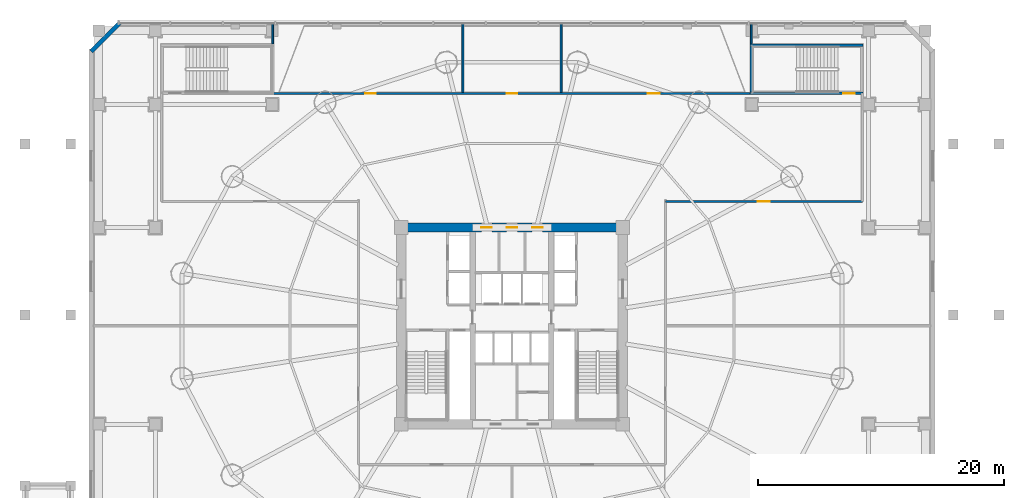
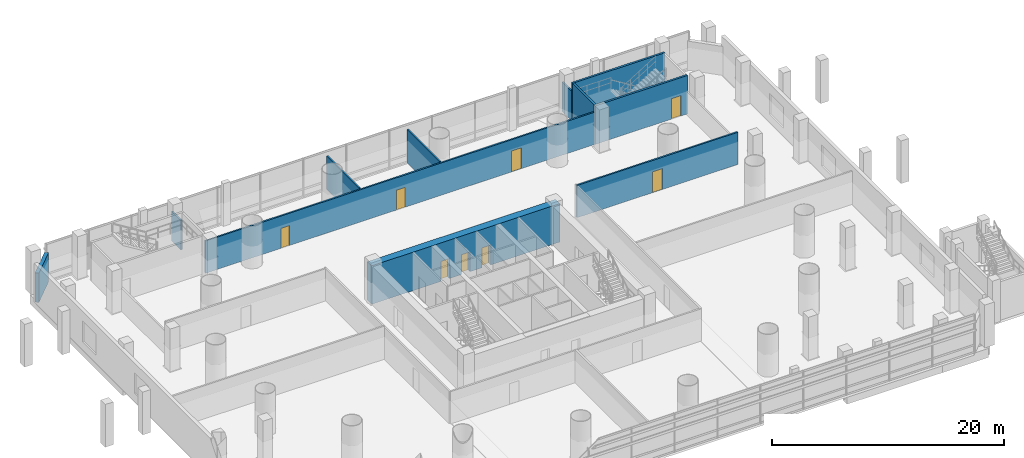
# One storey, part 23 of 36: 11 walls, 8 doors, 8 openings.
"""IFC4 building model written with IfcOpenShell, lengths in metres."""

from ifc_helpers import new_model, si_unit, direction, frame, frame_2d, origin, place, context, subcontext, project, spatial, rectangle, extrude, source, transform, mapped, material, layer, layer_set, type_object, element, fill, save


model = new_model("IFC4")

# Units and contexts
model_context = context("Model", 3, precision=1e-05, world=origin(), true_north=direction((-0.2419218956, 0.970295726276)))
body_context = subcontext(model_context, "Body", "Model", "MODEL_VIEW")
ifc_project = project(units=[si_unit("LENGTHUNIT", "METRE"), si_unit("AREAUNIT", "SQUARE_METRE"), si_unit("VOLUMEUNIT", "CUBIC_METRE"), si_unit("PLANEANGLEUNIT", "RADIAN"), si_unit("MASSUNIT", "GRAM", prefix="KILO")], contexts=[model_context])

# Site, building, storey
site_placement = place(None, origin())
site = spatial("IfcSite", under=ifc_project, at=site_placement, CompositionType="ELEMENT")
building_placement = place(site_placement, origin())
building = spatial("IfcBuilding", under=site, at=building_placement, Name="Cobrevalo Terracotta Tower", CompositionType="ELEMENT")
storey_placement = place(building_placement, frame((0.0, 0.0, 14.39990234375)))
storey = spatial("IfcBuildingStorey", under=building, at=storey_placement, Name="L03", CompositionType="ELEMENT", Elevation=14.39990234375)

# Wall
ifc_material_1 = material(Name="Concrete C45", Category="concrete")
ifc_layer_1 = layer(ifc_material_1, 0.35009765625)
ifc_layer_set_1 = layer_set([ifc_layer_1], Name="Concrete C45")
wall_type_1 = type_object("IfcWallType", Name="Board-marked precast architectural concrete facade wall 350 mm", PredefinedType="SOLIDWALL", material=ifc_layer_set_1)
wall_1_placement = place(storey_placement, frame((6.080078125, 51.39990234375, 0.0), z_axis=(0.0, 0.0, 1.0), x_axis=(-0.707144639935, -0.707068920411, 0.0)))
element("IfcWall", 1, at=wall_1_placement, inside=storey, type_object=wall_type_1, Name="L03 chamfered corner pier NW", PredefinedType="SOLIDWALL", context=body_context, shape_type="SweptSolid", body=[
    extrude(rectangle(XDim=3.224365234375, YDim=0.35009765625, at=frame_2d((1.6123046875, 0.0))), origin(), (0.0, 0.0, 1.0), 3.085205078125),
])

# Wall, openings, doors
ifc_material_2 = material(Name="Concrete C60", Category="concrete")
ifc_layer_2 = layer(ifc_material_2, 0.75)
ifc_layer_set_2 = layer_set([ifc_layer_2], Name="Concrete C60")
wall_type_2 = type_object("IfcWallType", Name="Core shear wall 750 mm Concrete C60", PredefinedType="SHEAR", material=ifc_layer_set_2)
wall_2_placement = place(storey_placement, frame((28.625, 34.800048828125, 0.0), z_axis=(0.0, 0.0, 1.0), x_axis=(1.0, 0.0, 0.0)))
wall_2 = element("IfcWall", 2, at=wall_2_placement, inside=storey, type_object=wall_type_2, Name="L03 north core shear wall", PredefinedType="SHEAR", context=body_context, shape_type="SweptSolid", body=[
    extrude(rectangle(XDim=18.75, YDim=0.75, at=frame_2d((9.375, 0.0))), origin(), (0.0, 0.0, 1.0), 4.050048828125),
])
opening_1_placement = place(wall_2_placement, frame((6.887451171875, 0.0, 0.0)))
opening_1 = element("IfcOpeningElement", 3, at=opening_1_placement, cuts=wall_2, Name="Opening ID-22", PredefinedType="OPENING", context=body_context, shape_type="SweptSolid", body=[
    extrude(rectangle(XDim=0.85009765625, YDim=2.10009765625, at=frame_2d((0.425048828125, 1.050048828125))), frame((0.0, 0.385009765625, 0.0), z_axis=(0.0, -1.0, 0.0), x_axis=(1.0, 0.0, 0.0)), (0.0, 0.0, 1.0), 0.77001953125),
])
opening_2_placement = place(wall_2_placement, frame((8.945068359375, 0.0, 0.0)))
opening_2 = element("IfcOpeningElement", 4, at=opening_2_placement, cuts=wall_2, Name="Opening ID-07", PredefinedType="OPENING", context=body_context, shape_type="SweptSolid", body=[
    extrude(rectangle(XDim=0.860107421875, YDim=2.10009765625, at=frame_2d((0.43017578125, 1.050048828125))), frame((0.0, 0.385009765625, 0.0), z_axis=(0.0, -1.0, 0.0), x_axis=(1.0, 0.0, 0.0)), (0.0, 0.0, 1.0), 0.77001953125),
])
opening_3_placement = place(wall_2_placement, frame((11.012451171875, 0.0, 0.0)))
opening_3 = element("IfcOpeningElement", 5, at=opening_3_placement, cuts=wall_2, Name="Opening ID-22", PredefinedType="OPENING", context=body_context, shape_type="SweptSolid", body=[
    extrude(rectangle(XDim=0.85009765625, YDim=2.10009765625, at=frame_2d((0.425048828125, 1.050048828125))), frame((0.0, 0.385009765625, 0.0), z_axis=(0.0, -1.0, 0.0), x_axis=(1.0, 0.0, 0.0)), (0.0, 0.0, 1.0), 0.77001953125),
])
ifc_material_3 = material(Name="Powder-coated steel", Category="steel")
door_type_1 = type_object("IfcDoorType", Name="Riser shaft & meter closet fire access door 850x2100 EI 60", OperationType="NOTDEFINED", PredefinedType="DOOR", material=ifc_material_3)
shared_shape_1 = source(origin(), body_context, "Body", "SweptSolid", [
    extrude(rectangle(XDim=0.85009765625, YDim=2.10009765625, at=frame_2d((0.425048828125, 1.050048828125))), frame((0.0, 0.02490234375, 0.0), z_axis=(0.0, -1.0, 0.0), x_axis=(1.0, 0.0, 0.0)), (0.0, 0.0, 1.0), 0.050048828125),
])
door_1_placement = place(opening_1_placement, frame((0.85009765625, 0.0, 0.0), z_axis=(0.0, 0.0, 1.0), x_axis=(-1.0, 0.0, 0.0)))
door_1 = element("IfcDoor", 6, at=door_1_placement, inside=storey, type_object=door_type_1, Name="L03 core north service door Housekeeping Linen Store", OperationType="SINGLE_SWING_LEFT", OverallHeight=2.10009765625, OverallWidth=0.85009765625, PredefinedType="DOOR", context=body_context, shape_type="MappedRepresentation", body=[
    mapped(shared_shape_1, transform((0.0, 0.0, 0.0), scale=1.0)),
])
fill(opening_1, door_1)
door_2_placement = place(opening_3_placement, frame((0.85009765625, 0.0, 0.0), z_axis=(0.0, 0.0, 1.0), x_axis=(-1.0, 0.0, 0.0)))
door_2 = element("IfcDoor", 7, at=door_2_placement, inside=storey, type_object=door_type_1, Name="L03 core north service door Floor BMS Mechanical Plant", OperationType="SINGLE_SWING_LEFT", OverallHeight=2.10009765625, OverallWidth=0.85009765625, PredefinedType="DOOR", context=body_context, shape_type="MappedRepresentation", body=[
    mapped(shared_shape_1, transform((0.0, 0.0, 0.0), scale=1.0)),
])
fill(opening_3, door_2)
ifc_material_4 = material(Name="Fire-rated moisture-sealed timber", Category="wood")
door_type_2 = type_object("IfcDoorType", Name="Core & podium fire-rated accessible WC door 860x2100 EI 60", OperationType="NOTDEFINED", PredefinedType="DOOR", material=ifc_material_4)
shared_shape_2 = source(origin(), body_context, "Body", "SweptSolid", [
    extrude(rectangle(XDim=0.860107421875, YDim=2.10009765625, at=frame_2d((0.43017578125, 1.050048828125))), frame((0.0, 0.02490234375, 0.0), z_axis=(0.0, -1.0, 0.0), x_axis=(1.0, 0.0, 0.0)), (0.0, 0.0, 1.0), 0.050048828125),
])
door_3_placement = place(opening_2_placement, frame((0.860107421875, 0.0, 0.0), z_axis=(0.0, 0.0, 1.0), x_axis=(-1.0, 0.0, 0.0)))
door_3 = element("IfcDoor", 8, at=door_3_placement, inside=storey, type_object=door_type_2, Name="L03 core north service door Floor Service Toilet WC", OperationType="SINGLE_SWING_RIGHT", OverallHeight=2.10009765625, OverallWidth=0.860107421875, PredefinedType="DOOR", context=body_context, shape_type="MappedRepresentation", body=[
    mapped(shared_shape_2, transform((0.0, 0.0, 0.0), scale=1.0)),
])
fill(opening_2, door_3)

# Wall, opening, door
ifc_material_5 = material(Name="Gypsum board on steel stud", Category="steel")
ifc_layer_3 = layer(ifc_material_5, 0.159912109375)
ifc_layer_set_3 = layer_set([ifc_layer_3], Name="Gypsum board on steel stud")
wall_type_3 = type_object("IfcWallType", Name="Fire-rated corridor acoustic partition wall 160 mm", PredefinedType="PARTITIONING", material=ifc_layer_set_3)
wall_3_placement = place(storey_placement, frame((50.47998046875, 36.919921875, 0.0), z_axis=(0.0, 0.0, 1.0), x_axis=(1.0, 0.0, 0.0)))
wall_3 = element("IfcWall", 9, at=wall_3_placement, inside=storey, type_object=wall_type_3, Name="L03 interior partition IW-L03-PC-SE", PredefinedType="PARTITIONING", context=body_context, shape_type="SweptSolid", body=[
    extrude(rectangle(XDim=16.0, YDim=0.159912109375, at=frame_2d((8.0, 0.0))), origin(), (0.0, 0.0, 1.0), 3.400146484375),
])
opening_4_placement = place(wall_3_placement, frame((7.510009765625, 0.0, 0.0)))
opening_4 = element("IfcOpeningElement", 10, at=opening_4_placement, cuts=wall_3, Name="Opening ID-05", PredefinedType="OPENING", context=body_context, shape_type="SweptSolid", body=[
    extrude(rectangle(XDim=0.97998046875, YDim=2.199951171875, at=frame_2d((0.489990234375, 1.10009765625))), frame((0.0, 0.08984375, 0.0), z_axis=(0.0, -1.0, 0.0), x_axis=(1.0, 0.0, 0.0)), (0.0, 0.0, 1.0), 0.179931640625),
])
ifc_material_6 = material(Name="Solid hardwood timber", Category="wood")
door_type_3 = type_object("IfcDoorType", Name="Residence entrance fire-rated acoustic timber door 980x2200 EI 60", OperationType="NOTDEFINED", PredefinedType="DOOR", material=ifc_material_6)
shared_shape_3 = source(origin(), body_context, "Body", "SweptSolid", [
    extrude(rectangle(XDim=0.97998046875, YDim=2.199951171875, at=frame_2d((0.489990234375, 1.10009765625))), frame((0.0, 0.02490234375, 0.0), z_axis=(0.0, -1.0, 0.0), x_axis=(1.0, 0.0, 0.0)), (0.0, 0.0, 1.0), 0.050048828125),
])
door_4_placement = place(opening_4_placement, frame((0.97998046875, 0.0, 0.0), z_axis=(0.0, 0.0, 1.0), x_axis=(-1.0, 0.0, 0.0)))
door_4 = element("IfcDoor", 11, at=door_4_placement, inside=storey, type_object=door_type_3, Name="L03 Athletic Fitness Gym door", OperationType="SINGLE_SWING_RIGHT", OverallHeight=2.199951171875, OverallWidth=0.97998046875, PredefinedType="DOOR", context=body_context, shape_type="MappedRepresentation", body=[
    mapped(shared_shape_3, transform((0.0, 0.0, 0.0), scale=1.0)),
])
fill(opening_4, door_4)

# Wall, openings, doors
wall_4_placement = place(storey_placement, frame((18.550048828125, 45.699951171875, 0.0), z_axis=(0.0, 0.0, 1.0), x_axis=(1.0, 0.0, 0.0)))
wall_4 = element("IfcWall", 12, at=wall_4_placement, inside=storey, type_object=wall_type_3, Name="L03 interior partition IW-L03-PC-N", PredefinedType="PARTITIONING", context=body_context, shape_type="SweptSolid", body=[
    extrude(rectangle(XDim=38.89990234375, YDim=0.159912109375, at=frame_2d((19.449951171875, 0.0))), origin(), (0.0, 0.0, 1.0), 3.400146484375),
])
opening_5_placement = place(wall_4_placement, frame((7.5048828125, 0.0, 0.0)))
opening_5 = element("IfcOpeningElement", 13, at=opening_5_placement, cuts=wall_4, Name="Opening ID-07", PredefinedType="OPENING", context=body_context, shape_type="SweptSolid", body=[
    extrude(rectangle(XDim=0.860107421875, YDim=2.10009765625, at=frame_2d((0.43017578125, 1.050048828125))), frame((0.0, 0.08984375, 0.0), z_axis=(0.0, -1.0, 0.0), x_axis=(1.0, 0.0, 0.0)), (0.0, 0.0, 1.0), 0.179931640625),
])
opening_6_placement = place(wall_4_placement, frame((19.02001953125, 0.0, 0.0)))
opening_6 = element("IfcOpeningElement", 14, at=opening_6_placement, cuts=wall_4, Name="Opening ID-07", PredefinedType="OPENING", context=body_context, shape_type="SweptSolid", body=[
    extrude(rectangle(XDim=0.860107421875, YDim=2.10009765625, at=frame_2d((0.43017578125, 1.050048828125))), frame((0.0, 0.08984375, 0.0), z_axis=(0.0, -1.0, 0.0), x_axis=(1.0, 0.0, 0.0)), (0.0, 0.0, 1.0), 0.179931640625),
])
opening_7_placement = place(wall_4_placement, frame((30.47509765625, 0.0, 0.0)))
opening_7 = element("IfcOpeningElement", 15, at=opening_7_placement, cuts=wall_4, Name="Opening ID-05", PredefinedType="OPENING", context=body_context, shape_type="SweptSolid", body=[
    extrude(rectangle(XDim=0.97998046875, YDim=2.199951171875, at=frame_2d((0.489990234375, 1.10009765625))), frame((0.0, 0.08984375, 0.0), z_axis=(0.0, -1.0, 0.0), x_axis=(1.0, 0.0, 0.0)), (0.0, 0.0, 1.0), 0.179931640625),
])
door_5_placement = place(opening_5_placement, frame((0.860107421875, 0.0, 0.0), z_axis=(0.0, 0.0, 1.0), x_axis=(-1.0, 0.0, 0.0)))
door_5 = element("IfcDoor", 16, at=door_5_placement, inside=storey, type_object=door_type_2, Name="L03 Public Restrooms door", OperationType="SINGLE_SWING_LEFT", OverallHeight=2.10009765625, OverallWidth=0.860107421875, PredefinedType="DOOR", context=body_context, shape_type="MappedRepresentation", body=[
    mapped(shared_shape_2, transform((0.0, 0.0, 0.0), scale=1.0)),
])
fill(opening_5, door_5)
door_6_placement = place(opening_6_placement, frame((0.860107421875, 0.0, 0.0), z_axis=(0.0, 0.0, 1.0), x_axis=(-1.0, 0.0, 0.0)))
door_6 = element("IfcDoor", 17, at=door_6_placement, inside=storey, type_object=door_type_2, Name="L03 Accessible Restroom WC door", OperationType="SINGLE_SWING_RIGHT", OverallHeight=2.10009765625, OverallWidth=0.860107421875, PredefinedType="DOOR", context=body_context, shape_type="MappedRepresentation", body=[
    mapped(shared_shape_2, transform((0.0, 0.0, 0.0), scale=1.0)),
])
fill(opening_6, door_6)
door_7_placement = place(opening_7_placement, frame((0.97998046875, 0.0, 0.0), z_axis=(0.0, 0.0, 1.0), x_axis=(-1.0, 0.0, 0.0)))
door_7 = element("IfcDoor", 18, at=door_7_placement, inside=storey, type_object=door_type_3, Name="L03 Podium Housekeeping Store door", OperationType="SINGLE_SWING_LEFT", OverallHeight=2.199951171875, OverallWidth=0.97998046875, PredefinedType="DOOR", context=body_context, shape_type="MappedRepresentation", body=[
    mapped(shared_shape_3, transform((0.0, 0.0, 0.0), scale=1.0)),
])
fill(opening_7, door_7)

# Walls
for number, where, z_axis, x_axis, name in (
    (19, (34.0, 45.781982421875, 0.0), (0.0, 0.0, 1.0), (0.0, 1.0, 0.0), "L03 interior partition IW-L03-PN-1"),
    (20, (42.0, 45.781982421875, 0.0), (0.0, 0.0, 1.0), (0.0, 1.0, 0.0), "L03 interior partition IW-L03-PN-2"),
):
    element("IfcWall", number, at=place(storey_placement, frame(where, z_axis=z_axis, x_axis=x_axis)), inside=storey, type_object=wall_type_3, Name=name, PredefinedType="PARTITIONING", context=body_context, shape_type="SweptSolid", body=[
        extrude(rectangle(XDim=5.578125, YDim=0.159912109375, at=frame_2d((2.7890625, 0.0))), origin(), (0.0, 0.0, 1.0), 3.4921875),
    ])
for number, where, z_axis, x_axis, name in (
    (21, (18.550048828125, 49.721923828125, 0.0), (0.0, 0.0, 1.0), (0.0, 1.0, 0.0), "L03 interior partition IW-L03-PN-W"),
    (22, (57.449951171875, 49.721923828125, 0.0), (0.0, 0.0, 1.0), (0.0, 1.0, 0.0), "L03 interior partition IW-L03-PN-E"),
):
    element("IfcWall", number, at=place(storey_placement, frame(where, z_axis=z_axis, x_axis=x_axis)), inside=storey, type_object=wall_type_3, Name=name, PredefinedType="PARTITIONING", context=body_context, shape_type="SweptSolid", body=[
        extrude(rectangle(XDim=1.63818359375, YDim=0.159912109375, at=frame_2d((0.819091796875, 0.0))), origin(), (0.0, 0.0, 1.0), 3.085205078125),
    ])

# Wall, opening, door
ifc_material_7 = material(Name="Concrete C50", Category="concrete")
ifc_layer_4 = layer(ifc_material_7, 0.199951171875)
ifc_layer_set_4 = layer_set([ifc_layer_4], Name="Concrete C50")
wall_type_4 = type_object("IfcWallType", Name="Structural core & podium stair-shaft RC wall 200 mm Concrete C50", PredefinedType="SOLIDWALL", material=ifc_layer_set_4)
wall_5_placement = place(storey_placement, frame((57.35009765625, 45.699951171875, 0.0), z_axis=(0.0, 0.0, 1.0), x_axis=(1.0, 0.0, 0.0)))
wall_5 = element("IfcWall", 23, at=wall_5_placement, inside=storey, type_object=wall_type_4, Name="L03 STP2 south structural shaft wall", PredefinedType="SOLIDWALL", context=body_context, shape_type="SweptSolid", body=[
    extrude(rectangle(XDim=9.199951171875, YDim=0.199951171875, at=frame_2d((4.60009765625, 0.0))), origin(), (0.0, 0.0, 1.0), 4.050048828125),
])
opening_8_placement = place(wall_5_placement, frame((7.574951171875, 0.0, 0.0)))
opening_8 = element("IfcOpeningElement", 24, at=opening_8_placement, cuts=wall_5, Name="Opening ID-04", PredefinedType="OPENING", context=body_context, shape_type="SweptSolid", body=[
    extrude(rectangle(XDim=0.949951171875, YDim=2.14990234375, at=frame_2d((0.47509765625, 1.074951171875))), frame((0.0, 0.10986328125, 0.0), z_axis=(0.0, -1.0, 0.0), x_axis=(1.0, 0.0, 0.0)), (0.0, 0.0, 1.0), 0.219970703125),
])
ifc_material_8 = material(Name="Galvanized fire-rated steel", Category="steel")
door_type_4 = type_object("IfcDoorType", Name="Stair & firefighting lobby fire door 950x2150 EI 90", OperationType="NOTDEFINED", PredefinedType="DOOR", material=ifc_material_8)
shared_shape_4 = source(origin(), body_context, "Body", "SweptSolid", [
    extrude(rectangle(XDim=0.949951171875, YDim=2.14990234375, at=frame_2d((0.47509765625, 1.074951171875))), frame((0.0, 0.02490234375, 0.0), z_axis=(0.0, -1.0, 0.0), x_axis=(1.0, 0.0, 0.0)), (0.0, 0.0, 1.0), 0.050048828125),
])
door_8_placement = place(opening_8_placement, frame((0.949951171875, 0.0, 0.0), z_axis=(0.0, 0.0, 1.0), x_axis=(-1.0, 0.0, 0.0)))
door_8 = element("IfcDoor", 25, at=door_8_placement, inside=storey, type_object=door_type_4, Name="L03 podium exit stair STP2 fire door", OperationType="SINGLE_SWING_RIGHT", OverallHeight=2.14990234375, OverallWidth=0.949951171875, PredefinedType="DOOR", context=body_context, shape_type="MappedRepresentation", body=[
    mapped(shared_shape_4, transform((0.0, 0.0, 0.0), scale=1.0)),
])
fill(opening_8, door_8)

# Walls
wall_6_placement = place(storey_placement, frame((57.35009765625, 49.6201171875, 0.0), z_axis=(0.0, 0.0, 1.0), x_axis=(1.0, 0.0, 0.0)))
element("IfcWall", 26, at=wall_6_placement, inside=storey, type_object=wall_type_4, Name="L03 STP2 north structural shaft wall", PredefinedType="SOLIDWALL", context=body_context, shape_type="SweptSolid", body=[
    extrude(rectangle(XDim=9.199951171875, YDim=0.199951171875, at=frame_2d((4.60009765625, 0.0))), origin(), (0.0, 0.0, 1.0), 4.050048828125),
])
wall_7_placement = place(storey_placement, frame((57.449951171875, 45.800048828125, 0.0), z_axis=(0.0, 0.0, 1.0), x_axis=(0.0, 1.0, 0.0)))
element("IfcWall", 27, at=wall_7_placement, inside=storey, type_object=wall_type_4, Name="L03 STP2 west structural shaft wall", PredefinedType="SOLIDWALL", context=body_context, shape_type="SweptSolid", body=[
    extrude(rectangle(XDim=3.719970703125, YDim=0.199951171875, at=frame_2d((1.85986328125, 0.0))), origin(), (0.0, 0.0, 1.0), 4.050048828125),
])

save(model, "model.ifc")
